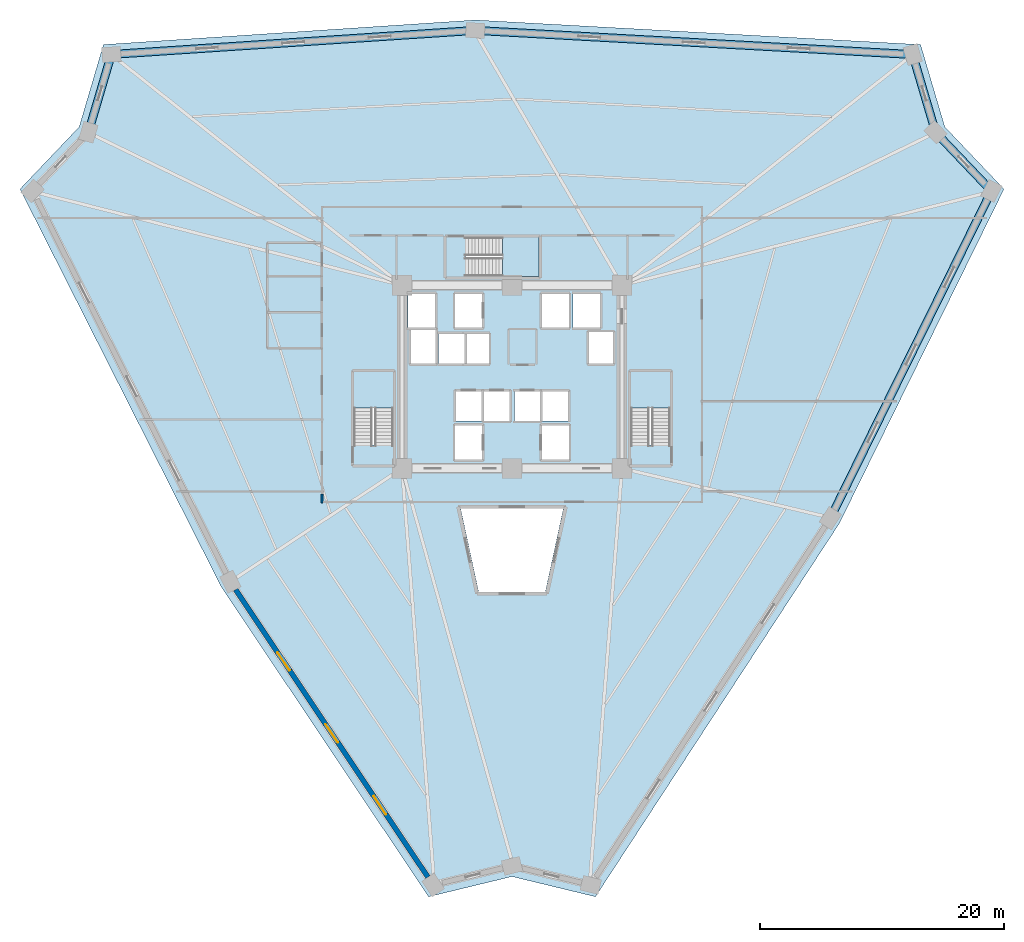
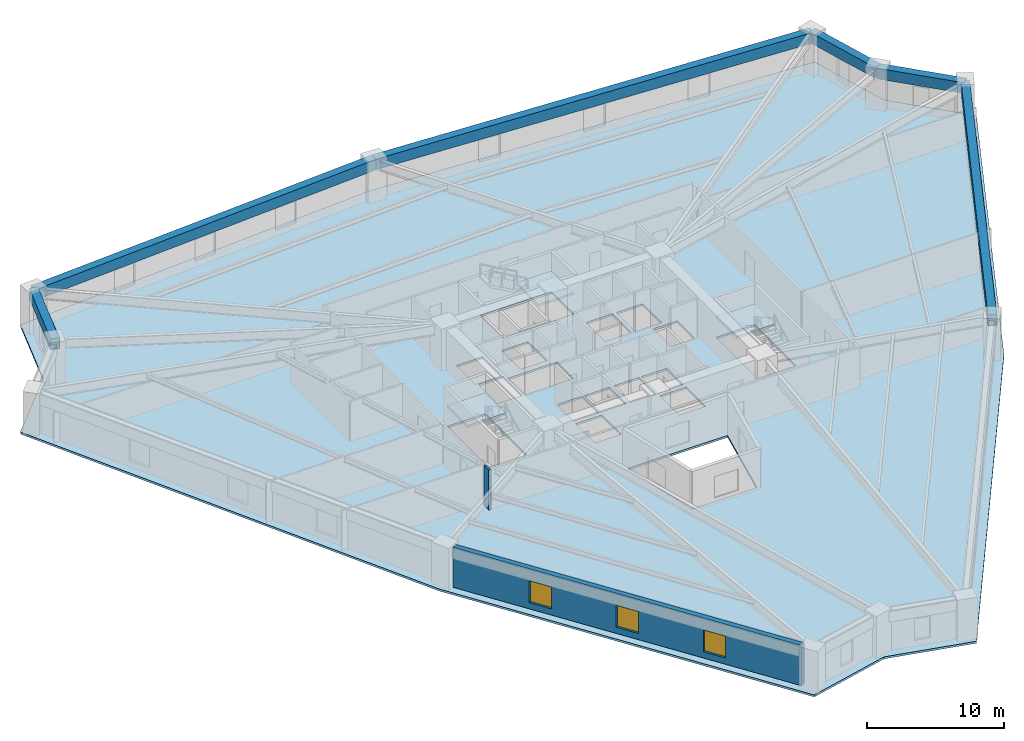
# One storey, part 2 of 8: 6 beams, 4 slabs, 3 windows, 2 walls, 3 openings, 3 elements without a shape of their own.
"""IFC4 building model written with IfcOpenShell, lengths in metres."""

from ifc_helpers import new_model, si_unit, direction, frame, frame_2d, origin, origin_2d, place, context, subcontext, project, spatial, polyline, rectangle, outline, extrude, source, transform, mapped, material, layer, layer_set, material_profile, profile_set, type_object, element, fill, aggregate, save


model = new_model("IFC4")

# Units and contexts
model_context = context("Model", 3, precision=1e-05, world=origin(), true_north=direction((0.0, 1.0)))
body_context = subcontext(model_context, "Body", "Model", "MODEL_VIEW")
ifc_project = project(units=[si_unit("LENGTHUNIT", "METRE"), si_unit("AREAUNIT", "SQUARE_METRE"), si_unit("VOLUMEUNIT", "CUBIC_METRE"), si_unit("PLANEANGLEUNIT", "RADIAN"), si_unit("MASSUNIT", "GRAM", prefix="KILO")], contexts=[model_context])

# Site, building, storey
site_placement = place(None, origin())
site = spatial("IfcSite", under=ifc_project, at=site_placement, CompositionType="ELEMENT")
building_placement = place(site_placement, origin())
building = spatial("IfcBuilding", under=site, at=building_placement, Name="Liaohun Quay Tower", CompositionType="ELEMENT")
storey_placement = place(building_placement, frame((0.0, 0.0, 36.0)))
storey = spatial("IfcBuildingStorey", under=building, at=storey_placement, Name="L09", CompositionType="ELEMENT", Elevation=36.0)

# Beams
ifc_material_1 = material(Name="Precast concrete C55", Category="concrete")
ifc_material_profile = material_profile(ifc_material_1, rectangle(XDim=0.64990234375, YDim=0.949951171875, at=origin_2d()), Name="RC650x950")
ifc_profile_set = profile_set([ifc_material_profile], Name="Precast concrete C55")
beam_type = type_object("IfcBeamType", Name="BM-SPD-Z1", PredefinedType="SPANDREL", material=ifc_profile_set)
shared_shape_1 = source(origin(), body_context, "Body", "SweptSolid", [
    extrude(rectangle(XDim=0.64990234375, YDim=0.949951171875, at=origin_2d()), origin(), (0.0, 0.0, 1.0), 6.64013671875),
])
beam_1_placement = place(storey_placement, frame((25.321044921875, 74.02197265625, 3.094970703125), z_axis=(0.282811203654, 0.959175595544, 0.0), x_axis=(-0.959175595544, 0.282811203654, 0.0)))
element("IfcBeam", 1, at=beam_1_placement, inside=storey, type_object=beam_type, Name="L09 Precast Spandrel Beam PC04-PC05", PredefinedType="SPANDREL", context=body_context, shape_type="MappedRepresentation", body=[
    mapped(shared_shape_1, transform((0.0, 0.0, 0.0), x_axis=(1.0, 0.0, 0.0), y_axis=(0.0, 1.0, 0.0), z_axis=(0.0, 0.0, 1.0), scale=1.0)),
])
shared_shape_2 = source(origin(), body_context, "Body", "SweptSolid", [
    extrude(rectangle(XDim=0.64990234375, YDim=0.949951171875, at=origin_2d()), origin(), (0.0, 0.0, 1.0), 29.861083984375),
])
beam_2_placement = place(storey_placement, frame((27.198974609375, 80.39111328125, 3.094970703125), z_axis=(0.997823697667, 0.065938367993, 0.0), x_axis=(-0.065938367993, 0.997823697667, 0.0)))
element("IfcBeam", 2, at=beam_2_placement, inside=storey, type_object=beam_type, Name="L09 Precast Spandrel Beam PC05-PC06", PredefinedType="SPANDREL", context=body_context, shape_type="MappedRepresentation", body=[
    mapped(shared_shape_2, transform((0.0, 0.0, 0.0), x_axis=(1.0, 0.0, 0.0), y_axis=(0.0, 1.0, 0.0), z_axis=(0.0, 0.0, 1.0), scale=1.0)),
])
shared_shape_3 = source(origin(), body_context, "Body", "SweptSolid", [
    extrude(rectangle(XDim=0.64990234375, YDim=0.949951171875, at=origin_2d()), origin(), (0.0, 0.0, 1.0), 35.8623046875),
])
beam_3_placement = place(storey_placement, frame((56.9951171875, 82.360107421875, 3.094970703125), z_axis=(0.998480750291, -0.055101645152, 0.0), x_axis=(0.055101645152, 0.998480750291, 0.0)))
element("IfcBeam", 3, at=beam_3_placement, inside=storey, type_object=beam_type, Name="L09 Precast Spandrel Beam PC06-PC07", PredefinedType="SPANDREL", context=body_context, shape_type="MappedRepresentation", body=[
    mapped(shared_shape_3, transform((0.0, 0.0, 0.0), x_axis=(1.0, 0.0, 0.0), y_axis=(0.0, 1.0, 0.0), z_axis=(0.0, 0.0, 1.0), scale=1.0)),
])
shared_shape_4 = source(origin(), body_context, "Body", "SweptSolid", [
    extrude(rectangle(XDim=0.64990234375, YDim=0.949951171875, at=origin_2d()), origin(), (0.0, 0.0, 1.0), 6.6328125),
])
beam_4_placement = place(storey_placement, frame((92.802978515625, 80.384033203125, 3.094970703125), z_axis=(0.282829848873, -0.959170097838, 0.0), x_axis=(0.959170097838, 0.282829848873, 0.0)))
element("IfcBeam", 4, at=beam_4_placement, inside=storey, type_object=beam_type, Name="L09 Precast Spandrel Beam PC07-PC08", PredefinedType="SPANDREL", context=body_context, shape_type="MappedRepresentation", body=[
    mapped(shared_shape_4, transform((0.0, 0.0, 0.0), x_axis=(1.0, 0.0, 0.0), y_axis=(0.0, 1.0, 0.0), z_axis=(0.0, 0.0, 1.0), scale=1.0)),
])
shared_shape_5 = source(origin(), body_context, "Body", "SweptSolid", [
    extrude(rectangle(XDim=0.64990234375, YDim=0.949951171875, at=origin_2d()), origin(), (0.0, 0.0, 1.0), 6.639892578125),
])
beam_5_placement = place(storey_placement, frame((94.678955078125, 74.02197265625, 3.094970703125), z_axis=(0.689350289248, -0.724428173606, 0.0), x_axis=(0.724428173606, 0.689350289248, 0.0)))
element("IfcBeam", 5, at=beam_5_placement, inside=storey, type_object=beam_type, Name="L09 Precast Spandrel Beam PC08-PC09", PredefinedType="SPANDREL", context=body_context, shape_type="MappedRepresentation", body=[
    mapped(shared_shape_5, transform((0.0, 0.0, 0.0), x_axis=(1.0, 0.0, 0.0), y_axis=(0.0, 1.0, 0.0), z_axis=(0.0, 0.0, 1.0), scale=1.0)),
])
shared_shape_6 = source(origin(), body_context, "Body", "SweptSolid", [
    extrude(rectangle(XDim=0.64990234375, YDim=0.949951171875, at=origin_2d()), origin(), (0.0, 0.0, 1.0), 29.86083984375),
])
beam_6_placement = place(storey_placement, frame((99.256103515625, 69.2119140625, 3.094970703125), z_axis=(-0.441786381035, -0.897120278186, 0.0), x_axis=(0.897120278186, -0.441786381035, 0.0)))
element("IfcBeam", 6, at=beam_6_placement, inside=storey, type_object=beam_type, Name="L09 Precast Spandrel Beam PC09-PC10", PredefinedType="SPANDREL", context=body_context, shape_type="MappedRepresentation", body=[
    mapped(shared_shape_6, transform((0.0, 0.0, 0.0), x_axis=(1.0, 0.0, 0.0), y_axis=(0.0, 1.0, 0.0), z_axis=(0.0, 0.0, 1.0), scale=1.0)),
])

# Stair, slab
ifc_material_2 = material(Name="Concrete C45", Category="concrete")
stair_type = type_object("IfcStairType", Name="STR-CORE-OFF", PredefinedType="HALF_TURN_STAIR", material=ifc_material_2)
stair_1_placement = place(storey_placement, origin())
stair_1 = element("IfcStair", 7, at=stair_1_placement, inside=storey, type_object=stair_type, Name="L09 Smokeproof Core Exit Stair ST-1", PredefinedType="HALF_TURN_STAIR")
ifc_layer_1 = layer(ifc_material_2, 0.199951171875, Name="Concrete C45", Category="concrete")
ifc_layer_set_1 = layer_set([ifc_layer_1], Name="Concrete C45")
slab_type_1 = type_object("IfcSlabType", Name="SLB-LND-200", PredefinedType="LANDING", material=ifc_layer_set_1)
slab_1_placement = place(storey_placement, frame((0.0, 0.0, 1.675048828125)))
slab_1 = element("IfcSlab", 8, at=slab_1_placement, type_object=slab_type_1, Name="ST-1 landing 1", PredefinedType="LANDING", context=body_context, shape_type="SweptSolid", body=[
    extrude(outline(polyline([(50.280029296875, 51.429931640625), (50.280029296875, 54.419921875), (47.0400390625, 54.419921875), (47.0400390625, 51.429931640625), (50.280029296875, 51.429931640625)])), origin(), (0.0, 0.0, 1.0), 0.199951171875),
])
aggregate(stair_1, [slab_1])

stair_2_placement = place(storey_placement, origin())
stair_2 = element("IfcStair", 9, at=stair_2_placement, inside=storey, type_object=stair_type, Name="L09 Smokeproof Core Exit Stair ST-2", PredefinedType="HALF_TURN_STAIR")
slab_2_placement = place(storey_placement, frame((0.0, 0.0, 1.675048828125)))
slab_2 = element("IfcSlab", 10, at=slab_2_placement, type_object=slab_type_1, Name="ST-2 landing 1", PredefinedType="LANDING", context=body_context, shape_type="SweptSolid", body=[
    extrude(outline(polyline([(72.9599609375, 51.429931640625), (72.9599609375, 54.419921875), (69.719970703125, 54.419921875), (69.719970703125, 51.429931640625), (72.9599609375, 51.429931640625)])), origin(), (0.0, 0.0, 1.0), 0.199951171875),
])
aggregate(stair_2, [slab_2])

stair_3_placement = place(storey_placement, origin())
stair_3 = element("IfcStair", 11, at=stair_3_placement, inside=storey, type_object=stair_type, Name="L09 Smokeproof Core Exit Stair ST-3", PredefinedType="HALF_TURN_STAIR")
slab_3_placement = place(storey_placement, frame((0.0, 0.0, 1.675048828125)))
slab_3 = element("IfcSlab", 12, at=slab_3_placement, type_object=slab_type_1, Name="ST-3 landing 1", PredefinedType="LANDING", context=body_context, shape_type="SweptSolid", body=[
    extrude(outline(polyline([(59.22998046875, 62.199951171875), (62.219970703125, 62.199951171875), (62.219970703125, 65.43994140625), (59.22998046875, 65.43994140625), (59.22998046875, 62.199951171875)])), origin(), (0.0, 0.0, 1.0), 0.199951171875),
])
aggregate(stair_3, [slab_3])

# Slab
ifc_layer_2 = layer(ifc_material_2, 0.179931640625, Name="Concrete C45", Category="concrete")
ifc_layer_set_2 = layer_set([ifc_layer_2], Name="Concrete C45")
slab_type_2 = type_object("IfcSlabType", Name="SLB-OFF-180", PredefinedType="FLOOR", material=ifc_layer_set_2)
slab_4_placement = place(storey_placement, frame((0.0, 0.0, -0.179931640625)))
element("IfcSlab", 13, at=slab_4_placement, inside=storey, type_object=slab_type_2, Name="L09 Structural Floor Slab", PredefinedType="FLOOR", context=body_context, shape_type="SweptSolid", body=[
    extrude(outline(polyline([(53.1689453125, 11.431884765625), (60.0, 13.08203125), (66.8310546875, 11.431884765625), (86.803955078125, 42.0009765625), (100.281005859375, 69.367919921875), (95.43603515625, 74.458984375), (93.448974609375, 81.199951171875), (56.989990234375, 83.2119140625), (26.551025390625, 81.199951171875), (24.56396484375, 74.458984375), (19.718994140625, 69.367919921875), (36.2060546875, 36.787109375), (53.1689453125, 11.431884765625)]), holes=[polyline([(57.56005859375, 47.2099609375), (57.56005859375, 50.030029296875), (55.340087890625, 50.030029296875), (55.340087890625, 47.2099609375), (57.56005859375, 47.2099609375)]), polyline([(50.280029296875, 54.419921875), (47.0400390625, 54.419921875), (47.0400390625, 48.409912109375), (50.280029296875, 48.409912109375), (50.280029296875, 54.419921875)]), polyline([(57.510009765625, 50.389892578125), (57.510009765625, 52.81005859375), (55.389892578125, 52.81005859375), (55.389892578125, 50.389892578125), (57.510009765625, 50.389892578125)]), polyline([(59.81005859375, 50.389892578125), (59.81005859375, 52.81005859375), (57.68994140625, 52.81005859375), (57.68994140625, 50.389892578125), (59.81005859375, 50.389892578125)]), polyline([(58.110107421875, 57.510009765625), (53.989990234375, 57.510009765625), (53.989990234375, 55.090087890625), (58.110107421875, 55.090087890625), (58.110107421875, 57.510009765625)]), polyline([(53.760009765625, 55.090087890625), (53.760009765625, 57.909912109375), (51.7099609375, 57.909912109375), (51.7099609375, 55.090087890625), (53.760009765625, 55.090087890625)]), polyline([(51.489990234375, 58.0400390625), (53.7099609375, 58.0400390625), (53.7099609375, 60.7900390625), (51.489990234375, 60.7900390625), (51.489990234375, 58.0400390625)]), polyline([(55.340087890625, 58.0400390625), (57.56005859375, 58.0400390625), (57.56005859375, 60.7900390625), (55.340087890625, 60.7900390625), (55.340087890625, 58.0400390625)]), polyline([(62.72998046875, 36.39990234375), (64.199951171875, 43.199951171875), (55.800048828125, 43.199951171875), (57.27001953125, 36.39990234375), (62.72998046875, 36.39990234375)]), polyline([(64.659912109375, 47.2099609375), (64.659912109375, 50.030029296875), (62.43994140625, 50.030029296875), (62.43994140625, 47.2099609375), (64.659912109375, 47.2099609375)]), polyline([(72.9599609375, 54.419921875), (69.719970703125, 54.419921875), (69.719970703125, 48.409912109375), (72.9599609375, 48.409912109375), (72.9599609375, 54.419921875)]), polyline([(62.31005859375, 50.389892578125), (62.31005859375, 52.81005859375), (60.18994140625, 52.81005859375), (60.18994140625, 50.389892578125), (62.31005859375, 50.389892578125)]), polyline([(64.610107421875, 50.389892578125), (64.610107421875, 52.81005859375), (62.489990234375, 52.81005859375), (62.489990234375, 50.389892578125), (64.610107421875, 50.389892578125)]), polyline([(68.2900390625, 55.090087890625), (68.2900390625, 57.659912109375), (66.2900390625, 57.659912109375), (66.2900390625, 55.090087890625), (68.2900390625, 55.090087890625)]), polyline([(64.659912109375, 58.0400390625), (64.659912109375, 60.7900390625), (62.43994140625, 60.7900390625), (62.43994140625, 58.0400390625), (64.659912109375, 58.0400390625)]), polyline([(64.989990234375, 58.0400390625), (67.2099609375, 58.0400390625), (67.2099609375, 60.7900390625), (64.989990234375, 60.7900390625), (64.989990234375, 58.0400390625)]), polyline([(56.2099609375, 62.199951171875), (62.219970703125, 62.199951171875), (62.219970703125, 65.43994140625), (56.2099609375, 65.43994140625), (56.2099609375, 62.199951171875)])]), origin(), (0.0, 0.0, 1.0), 0.179931640625),
])

# Wall, openings, windows
ifc_material_3 = material(Name="Precast concrete C50 insulated sandwich", Category="concrete")
ifc_layer_3 = layer(ifc_material_3, 0.419921875, Name="Precast concrete C50 insulated sandwich", Category="concrete")
ifc_layer_set_3 = layer_set([ifc_layer_3], Name="Precast concrete C50 insulated sandwich")
wall_type_1 = type_object("IfcWallType", Name="WAL-EXT-Z12", PredefinedType="SOLIDWALL", material=ifc_layer_set_3)
wall_1_placement = place(storey_placement, frame((37.365966796875, 36.5810546875, 0.0), z_axis=(0.0, 0.0, 1.0), x_axis=(0.556077484232, -0.831130453979, 0.0)))
wall_1 = element("IfcWall", 14, at=wall_1_placement, inside=storey, type_object=wall_type_1, Name="L09 Brutalist Precast Pier Wall 11", PredefinedType="SOLIDWALL", context=body_context, shape_type="SweptSolid", body=[
    extrude(rectangle(XDim=28.33251953125, YDim=0.419921875, at=frame_2d((14.166259765625, 0.0))), origin(), (0.0, 0.0, 1.0), 3.570068359375),
])
shared_shape_7 = source(origin(), body_context, "Body", "SweptSolid", [
    extrude(rectangle(XDim=1.800048828125, YDim=1.949951171875, at=frame_2d((0.89990234375, 0.97509765625))), frame((0.0, 0.219970703125, 0.0), z_axis=(0.0, -1.0, 0.0), x_axis=(1.0, 0.0, 0.0)), (0.0, 0.0, 1.0), 0.43994140625),
])
opening_1_placement = place(wall_1_placement, frame((6.18310546875, 0.0, 0.550048828125)))
opening_1 = element("IfcOpeningElement", 15, at=opening_1_placement, cuts=wall_1, Name="Opening W01", PredefinedType="OPENING", context=body_context, shape_type="MappedRepresentation", body=[
    mapped(shared_shape_7, transform((0.0, 0.0, 0.0), x_axis=(1.0, 0.0, 0.0), y_axis=(0.0, 1.0, 0.0), z_axis=(0.0, 0.0, 1.0), scale=1.0)),
])
opening_2_placement = place(wall_1_placement, frame((13.26611328125, 0.0, 0.550048828125)))
opening_2 = element("IfcOpeningElement", 16, at=opening_2_placement, cuts=wall_1, Name="Opening W01", PredefinedType="OPENING", context=body_context, shape_type="MappedRepresentation", body=[
    mapped(shared_shape_7, transform((0.0, 0.0, 0.0), x_axis=(1.0, 0.0, 0.0), y_axis=(0.0, 1.0, 0.0), z_axis=(0.0, 0.0, 1.0), scale=1.0)),
])
opening_3_placement = place(wall_1_placement, frame((20.34912109375, 0.0, 0.550048828125)))
opening_3 = element("IfcOpeningElement", 17, at=opening_3_placement, cuts=wall_1, Name="Opening W01", PredefinedType="OPENING", context=body_context, shape_type="MappedRepresentation", body=[
    mapped(shared_shape_7, transform((0.0, 0.0, 0.0), x_axis=(1.0, 0.0, 0.0), y_axis=(0.0, 1.0, 0.0), z_axis=(0.0, 0.0, 1.0), scale=1.0)),
])
ifc_material_4 = material(Name="Triple Low-E argon glazing in thermally broken aluminium", Category="aluminium")
window_type = type_object("IfcWindowType", Name="WIN-PUN-Z1", PartitioningType="DOUBLE_PANEL_VERTICAL", PredefinedType="WINDOW", material=ifc_material_4)
shared_shape_8 = source(origin(), body_context, "Body", "SweptSolid", [
    extrude(rectangle(XDim=1.800048828125, YDim=1.949951171875, at=frame_2d((0.89990234375, 0.97509765625))), frame((0.0, 0.030029296875, 0.0), z_axis=(0.0, -1.0, 0.0), x_axis=(1.0, 0.0, 0.0)), (0.0, 0.0, 1.0), 0.06005859375),
])
window_1_placement = place(opening_1_placement, origin())
window_1 = element("IfcWindow", 18, at=window_1_placement, inside=storey, type_object=window_type, Name="L09 Recessed Cold-Climate Punched Window 11-1", OverallHeight=1.949951171875, OverallWidth=1.800048828125, PartitioningType="DOUBLE_PANEL_VERTICAL", PredefinedType="WINDOW", context=body_context, shape_type="MappedRepresentation", body=[
    mapped(shared_shape_8, transform((0.0, 0.0, 0.0), x_axis=(1.0, 0.0, 0.0), y_axis=(0.0, 1.0, 0.0), z_axis=(0.0, 0.0, 1.0), scale=1.0)),
])
fill(opening_1, window_1)
window_2_placement = place(opening_2_placement, origin())
window_2 = element("IfcWindow", 19, at=window_2_placement, inside=storey, type_object=window_type, Name="L09 Recessed Cold-Climate Punched Window 11-2", OverallHeight=1.949951171875, OverallWidth=1.800048828125, PartitioningType="DOUBLE_PANEL_VERTICAL", PredefinedType="WINDOW", context=body_context, shape_type="MappedRepresentation", body=[
    mapped(shared_shape_8, transform((0.0, 0.0, 0.0), x_axis=(1.0, 0.0, 0.0), y_axis=(0.0, 1.0, 0.0), z_axis=(0.0, 0.0, 1.0), scale=1.0)),
])
fill(opening_2, window_2)
window_3_placement = place(opening_3_placement, origin())
window_3 = element("IfcWindow", 20, at=window_3_placement, inside=storey, type_object=window_type, Name="L09 Recessed Cold-Climate Punched Window 11-3", OverallHeight=1.949951171875, OverallWidth=1.800048828125, PartitioningType="DOUBLE_PANEL_VERTICAL", PredefinedType="WINDOW", context=body_context, shape_type="MappedRepresentation", body=[
    mapped(shared_shape_8, transform((0.0, 0.0, 0.0), x_axis=(1.0, 0.0, 0.0), y_axis=(0.0, 1.0, 0.0), z_axis=(0.0, 0.0, 1.0), scale=1.0)),
])
fill(opening_3, window_3)

# Wall
ifc_material_5 = material(Name="Autoclaved aerated concrete blockwork", Category="masonry")
ifc_layer_4 = layer(ifc_material_5, 0.179931640625, Name="Autoclaved aerated concrete blockwork", Category="masonry")
ifc_layer_set_4 = layer_set([ifc_layer_4], Name="Autoclaved aerated concrete blockwork")
wall_type_2 = type_object("IfcWallType", Name="WAL-PRT-COR", PredefinedType="PARTITIONING", material=ifc_layer_set_4)
wall_2_placement = place(storey_placement, frame((44.43994140625, 43.669921875, 0.0), z_axis=(0.0, 0.0, 1.0), x_axis=(0.0, 1.0, 0.0)))
element("IfcWall", 21, at=wall_2_placement, inside=storey, type_object=wall_type_2, Name="L09 Interior Partition Wall 028", PredefinedType="PARTITIONING", context=body_context, shape_type="SweptSolid", body=[
    extrude(rectangle(XDim=0.715087890625, YDim=0.179931640625, at=frame_2d((0.357421875, 0.0))), origin(), (0.0, 0.0, 1.0), 3.570068359375),
])

save(model, "model.ifc")
